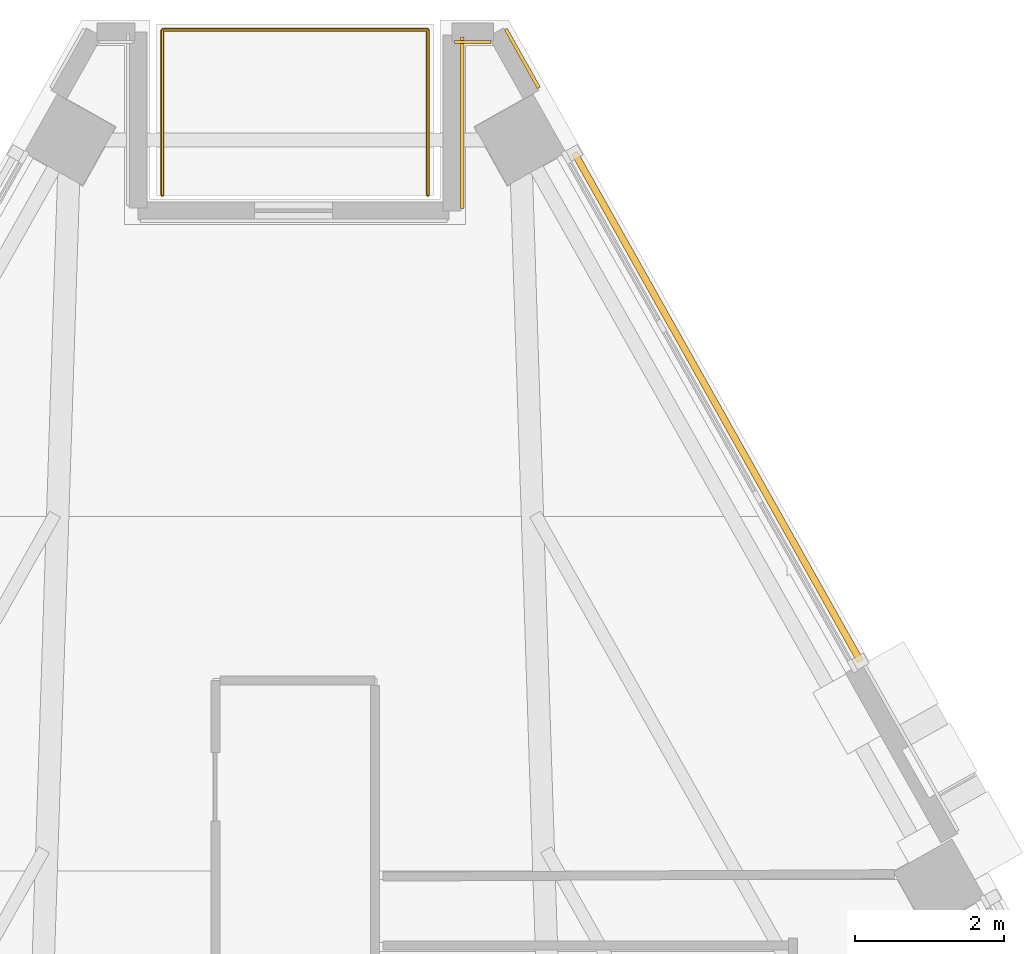
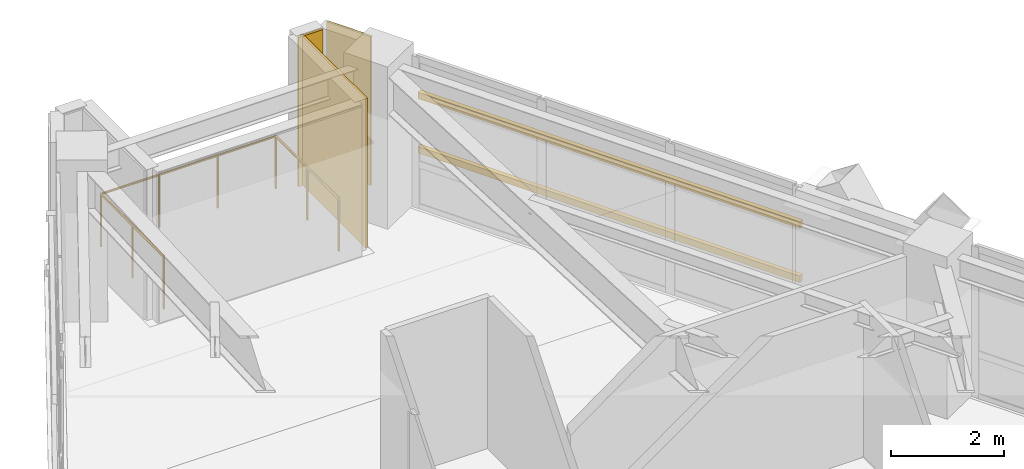
# One storey, part 15 of 15: 3 coverings, 2 shading devices, 1 railing.
"""IFC4 building model written with IfcOpenShell, lengths in metres."""

from ifc_helpers import new_model, si_unit, direction, frame, origin, origin_2d, place, context, subcontext, project, spatial, polyline, rectangle, circle, outline, extrude, material, layer, layer_set, material_profile, profile_set, type_object, element, save


model = new_model("IFC4")

# Units and contexts
model_context = context("Model", 3, precision=1e-05, world=origin(), true_north=direction((0.0, 1.0)))
body_context = subcontext(model_context, "Body", "Model", "MODEL_VIEW")
ifc_project = project(units=[si_unit("LENGTHUNIT", "METRE"), si_unit("AREAUNIT", "SQUARE_METRE"), si_unit("VOLUMEUNIT", "CUBIC_METRE"), si_unit("PLANEANGLEUNIT", "RADIAN"), si_unit("MASSUNIT", "GRAM", prefix="KILO")], contexts=[model_context])

# Site, building, storey
site_placement = place(None, origin())
site = spatial("IfcSite", under=ifc_project, at=site_placement, CompositionType="ELEMENT")
building_placement = place(site_placement, origin())
building = spatial("IfcBuilding", under=site, at=building_placement, Name="Quenlor Broadcast Tower", CompositionType="ELEMENT")
storey_placement = place(building_placement, frame((0.0, 0.0, 183.39990234375)))
storey = spatial("IfcBuildingStorey", under=building, at=storey_placement, Name="L50", CompositionType="ELEMENT", Elevation=183.39990234375)

# Shading devices
ifc_material_1 = material(Name="Architectural Terracotta Ceramic", Category="masonry")
ifc_material_profile = material_profile(ifc_material_1, rectangle(XDim=0.090087890625, YDim=0.139892578125, at=origin_2d()))
ifc_profile_set = profile_set([ifc_material_profile], Name="Architectural Terracotta Ceramic BAG90x140")
shading_device_type = type_object("IfcShadingDeviceType", Name="Copper Terracotta Baguette Solar Screen 140", PredefinedType="USERDEFINED", material=ifc_profile_set)
for number, where, z_axis, x_axis, name in (
    (1, (3.747802734375, 17.529296875, 1.170166015625), (0.49024494728, -0.871584701372, 0.0), (0.871584701372, 0.49024494728, 0.0), "L50 Terracotta Baguette Screen 1"),
    (2, (3.747802734375, 17.529296875, 2.340087890625), (0.49024494728, -0.871584701372, 0.0), (0.871584701372, 0.49024494728, 0.0), "L50 Terracotta Baguette Screen 2"),
):
    element("IfcShadingDevice", number, at=place(storey_placement, frame(where, z_axis=z_axis, x_axis=x_axis)), inside=storey, type_object=shading_device_type, Name=name, ObjectType="BAGUETTE", PredefinedType="USERDEFINED", context=body_context, shape_type="SweptSolid", body=[
        extrude(rectangle(XDim=0.090087890625, YDim=0.139892578125, at=origin_2d()), origin(), (0.0, 0.0, 1.0), 7.825927734375),
    ])

# Coverings
ifc_material_2 = material(Name="Architectural Terracotta Ceramic", Category="masonry")
ifc_layer = layer(ifc_material_2, 0.044921875)
ifc_layer_set = layer_set([ifc_layer], Name="Fluted Terracotta Rainscreen Cladding Panel")
covering_type = type_object("IfcCoveringType", Name="Fluted Terracotta Rainscreen Cladding Panel", PredefinedType="CLADDING", material=ifc_layer_set)
covering_1_placement = place(storey_placement, frame((0.0, 0.0, 0.02001953125)))
element("IfcCovering", 3, at=covering_1_placement, inside=storey, type_object=covering_type, Name="L50 Terracotta Rainscreen Cladding L50-SHD-NES0", PredefinedType="CLADDING", context=body_context, shape_type="SweptSolid", body=[
    extrude(outline(polyline([(2.8076171875, 19.17822265625), (3.250732421875, 18.390380859375), (3.2900390625, 18.412353515625), (2.8466796875, 19.2001953125), (2.8076171875, 19.17822265625)])), origin(), (0.0, 0.0, 1.0), 3.2099609375),
])
covering_2_placement = place(storey_placement, frame((0.0, 0.0, 0.02001953125)))
element("IfcCovering", 4, at=covering_2_placement, inside=storey, type_object=covering_type, Name="L50 Terracotta Rainscreen Cladding L50-CNR-06", PredefinedType="CLADDING", context=body_context, shape_type="SweptSolid", body=[
    extrude(outline(polyline([(2.62841796875, 19.0400390625), (2.13623046875, 19.0400390625), (2.13623046875, 18.9951171875), (2.62841796875, 18.9951171875), (2.62841796875, 19.0400390625)])), origin(), (0.0, 0.0, 1.0), 3.2099609375),
])
covering_3_placement = place(storey_placement, frame((0.0, 0.0, 0.02001953125)))
element("IfcCovering", 5, at=covering_3_placement, inside=storey, type_object=covering_type, Name="L50 Terracotta Rainscreen Cladding L50-CNR-07", PredefinedType="CLADDING", context=body_context, shape_type="SweptSolid", body=[
    extrude(outline(polyline([(2.21826171875, 19.08203125), (2.21826171875, 16.781982421875), (2.26318359375, 16.781982421875), (2.26318359375, 19.08203125), (2.21826171875, 19.08203125)])), origin(), (0.0, 0.0, 1.0), 3.2099609375),
])

# Railing
ifc_material_3 = material(Name="Anodised Aluminium", Category="aluminium")
railing_type = type_object("IfcRailingType", Name="Laminated Glass and Steel Perimeter Balustrade 1150", PredefinedType="BALUSTRADE", material=ifc_material_3)
railing_placement = place(storey_placement, frame((-1.780029296875, 16.9599609375, 0.0)))
element("IfcRailing", 6, at=railing_placement, inside=storey, type_object=railing_type, Name="L50 Outdoor Terrace Perimeter Balustrade", PredefinedType="BALUSTRADE", context=body_context, shape_type="SweptSolid", body=[
    extrude(circle(Radius=0.02392578125, at=origin_2d()), frame((0.0, 0.0, 1.1259765625), z_axis=(0.0, 1.0, 0.0), x_axis=(-1.0, 0.0, 0.0)), (0.0, 0.0, 1.0), 2.219970703125),
    extrude(circle(Radius=0.02392578125, at=origin_2d()), frame((0.0, 2.219970703125, 1.1259765625), z_axis=(1.0, 0.0, 0.0), x_axis=(0.0, 1.0, 0.0)), (0.0, 0.0, 1.0), 3.56005859375),
    extrude(circle(Radius=0.02392578125, at=origin_2d()), frame((3.56005859375, 2.219970703125, 1.1259765625), z_axis=(0.0, -1.0, 0.0), x_axis=(1.0, 0.0, 0.0)), (0.0, 0.0, 1.0), 2.219970703125),
    extrude(circle(Radius=0.02099609375, at=origin_2d()), origin(), (0.0, 0.0, 1.0), 1.101806640625),
    extrude(circle(Radius=0.02099609375, at=origin_2d()), frame((0.0, 1.10986328125, 0.0)), (0.0, 0.0, 1.0), 1.101806640625),
    extrude(circle(Radius=0.02099609375, at=origin_2d()), frame((0.0, 2.219970703125, 0.0)), (0.0, 0.0, 1.0), 1.101806640625),
    extrude(circle(Radius=0.02099609375, at=origin_2d()), frame((1.186767578125, 2.219970703125, 0.0)), (0.0, 0.0, 1.0), 1.101806640625),
    extrude(circle(Radius=0.02099609375, at=origin_2d()), frame((2.373291015625, 2.219970703125, 0.0)), (0.0, 0.0, 1.0), 1.101806640625),
    extrude(circle(Radius=0.02099609375, at=origin_2d()), frame((3.56005859375, 2.219970703125, 0.0)), (0.0, 0.0, 1.0), 1.101806640625),
    extrude(circle(Radius=0.02099609375, at=origin_2d()), frame((3.56005859375, 1.10986328125, 0.0)), (0.0, 0.0, 1.0), 1.101806640625),
    extrude(circle(Radius=0.02099609375, at=origin_2d()), frame((3.56005859375, 0.0, 0.0)), (0.0, 0.0, 1.0), 1.101806640625),
])

save(model, "model.ifc")
